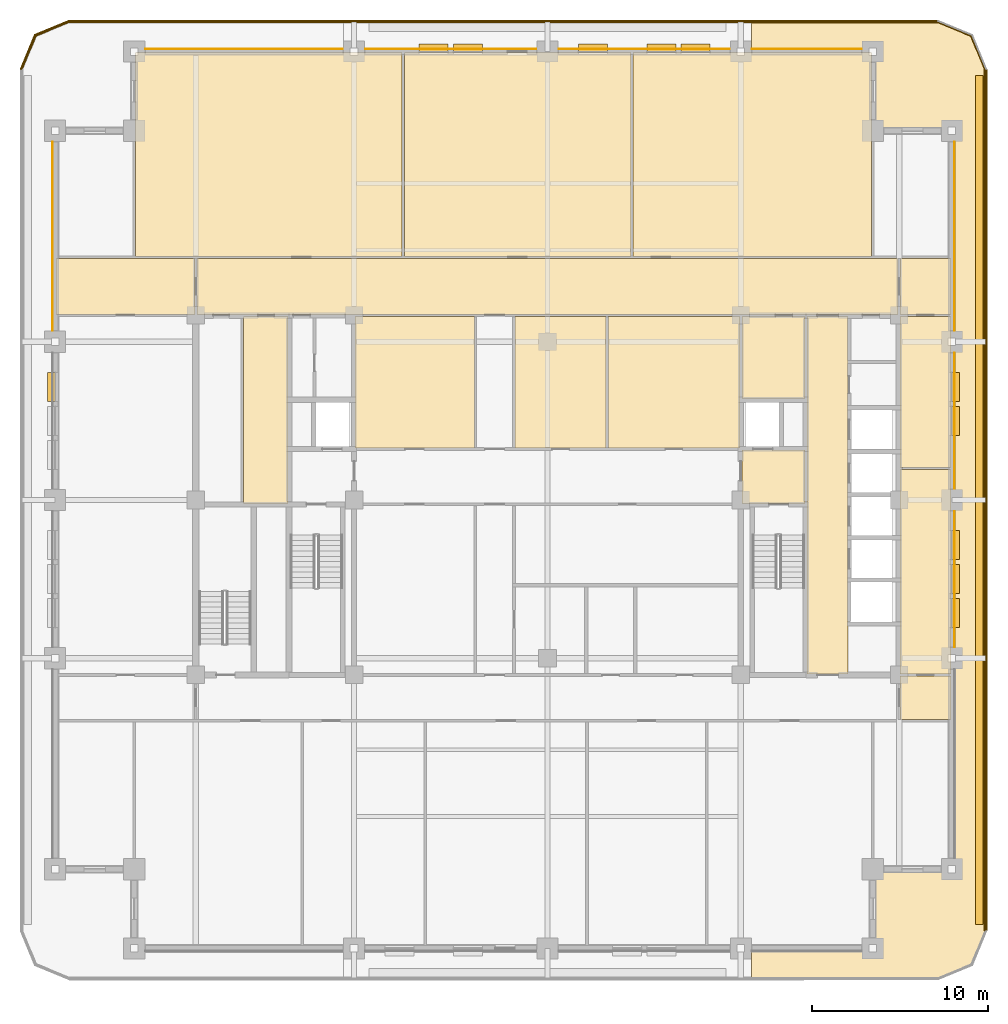
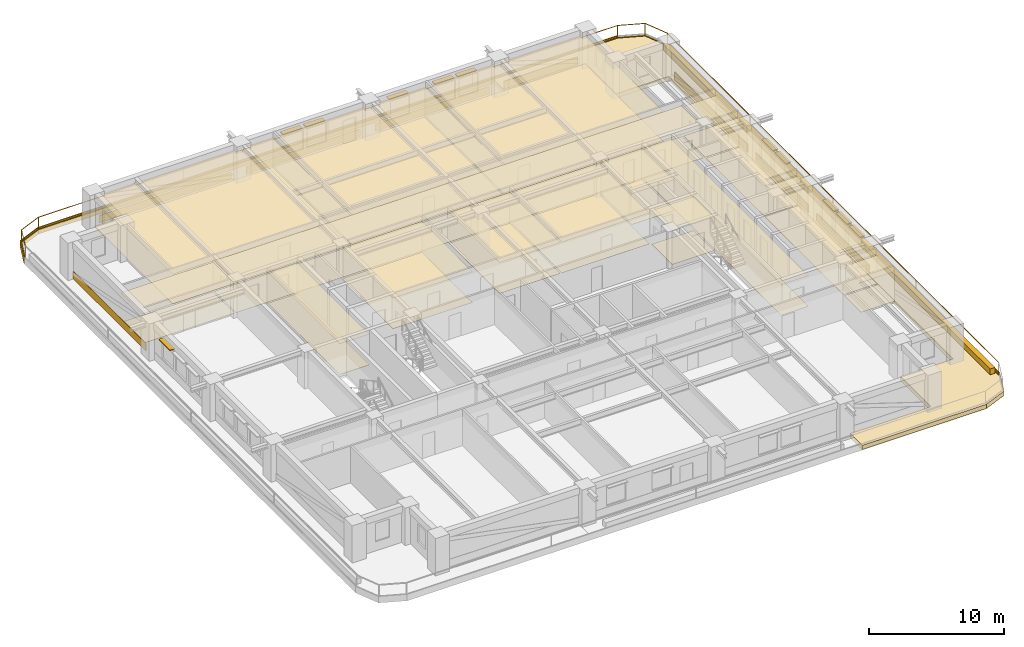
# One storey, part 15 of 16: 46 coverings, 11 shading devices, 2 railings.
"""IFC4 building model written with IfcOpenShell, lengths in metres."""

from ifc_helpers import new_model, si_unit, direction, frame, frame_2d, origin, origin_2d, place, context, subcontext, project, spatial, polyline, rectangle, outline, extrude, material, layer, layer_set, type_object, element, save


model = new_model("IFC4")

# Units and contexts
model_context = context("Model", 3, precision=1e-05, world=origin(), true_north=direction((0.0, 1.0)))
body_context = subcontext(model_context, "Body", "Model", "MODEL_VIEW")
ifc_project = project(units=[si_unit("LENGTHUNIT", "METRE"), si_unit("AREAUNIT", "SQUARE_METRE"), si_unit("VOLUMEUNIT", "CUBIC_METRE"), si_unit("PLANEANGLEUNIT", "RADIAN"), si_unit("MASSUNIT", "GRAM", prefix="KILO")], contexts=[model_context])

# Site, building, storey
site_placement = place(None, origin())
site = spatial("IfcSite", under=ifc_project, at=site_placement, CompositionType="ELEMENT")
building_placement = place(site_placement, origin())
building = spatial("IfcBuilding", under=site, at=building_placement, Name="Zulmaris Gate Convention Tower", CompositionType="ELEMENT")
storey_placement = place(building_placement, frame((0.0, 0.0, 124.919921875)))
storey = spatial("IfcBuildingStorey", under=building, at=storey_placement, Name="L31", CompositionType="ELEMENT", Elevation=124.919921875)

# Coverings
ifc_material_1 = material(Name="Precast concrete C40/50", Category="concrete")
ifc_layer_1 = layer(ifc_material_1, 0.0400390625, Name="Precast concrete C40/50")
ifc_layer_set_1 = layer_set([ifc_layer_1], Name="Precast concrete C40/50")
covering_type_1 = type_object("IfcCoveringType", Name="CLAD-SPANDREL-PRECAST", PredefinedType="CLADDING", material=ifc_layer_set_1)
covering_1_placement = place(storey_placement, frame((-11.6298828125, 25.64990234375, 0.0), z_axis=(0.0, 0.0, 1.0), x_axis=(-1.0, 0.0, 0.0)))
element("IfcCovering", 1, at=covering_1_placement, inside=storey, type_object=covering_type_1, Name="CLD-L31-N-0_0", PredefinedType="CLADDING", context=body_context, shape_type="SweptSolid", body=[
    extrude(rectangle(XDim=11.240234375, YDim=0.0400390625, at=frame_2d((5.6201171875, 0.0))), origin(), (0.0, 0.0, 1.0), 0.679931640625),
])
for number, where, z_axis, x_axis, name in (
    (2, (-0.6298828125, 25.64990234375, 0.0), (0.0, 0.0, 1.0), (-1.0, 0.0, 0.0), "CLD-L31-N-1_0"),
    (3, (10.3701171875, 25.64990234375, 0.0), (0.0, 0.0, 1.0), (-1.0, 0.0, 0.0), "CLD-L31-N-2_0"),
):
    element("IfcCovering", number, at=place(storey_placement, frame(where, z_axis=z_axis, x_axis=x_axis)), inside=storey, type_object=covering_type_1, Name=name, PredefinedType="CLADDING", context=body_context, shape_type="SweptSolid", body=[
        extrude(rectangle(XDim=9.740234375, YDim=0.0400390625, at=frame_2d((4.8701171875, 0.0))), origin(), (0.0, 0.0, 1.0), 0.679931640625),
    ])
covering_2_placement = place(storey_placement, frame((17.8701171875, 25.64990234375, 0.0), z_axis=(0.0, 0.0, 1.0), x_axis=(-1.0, 0.0, 0.0)))
element("IfcCovering", 4, at=covering_2_placement, inside=storey, type_object=covering_type_1, Name="CLD-L31-N-3_0", PredefinedType="CLADDING", context=body_context, shape_type="SweptSolid", body=[
    extrude(rectangle(XDim=6.240234375, YDim=0.0400390625, at=frame_2d((3.1201171875, 0.0))), origin(), (0.0, 0.0, 1.0), 0.679931640625),
])
for number, where, z_axis, x_axis, name in (
    (5, (23.14990234375, -8.3701171875, 0.0), (0.0, 0.0, 1.0), (0.0, 1.0, 0.0), "CLD-L31-E-1_0"),
    (6, (23.14990234375, 0.6298828125, 0.0), (0.0, 0.0, 1.0), (0.0, 1.0, 0.0), "CLD-L31-E-2_0"),
):
    element("IfcCovering", number, at=place(storey_placement, frame(where, z_axis=z_axis, x_axis=x_axis)), inside=storey, type_object=covering_type_1, Name=name, PredefinedType="CLADDING", context=body_context, shape_type="SweptSolid", body=[
        extrude(rectangle(XDim=7.740234375, YDim=0.0400390625, at=frame_2d((3.8701171875, 0.0))), origin(), (0.0, 0.0, 1.0), 0.679931640625),
    ])
for number, where, z_axis, x_axis, name in (
    (7, (23.14990234375, 9.6298828125, 0.0), (0.0, 0.0, 1.0), (0.0, 1.0, 0.0), "CLD-L31-E-3_0"),
    (8, (-28.14990234375, 20.3701171875, 0.0), (0.0, 0.0, 1.0), (0.0, -1.0, 0.0), "CLD-L31-W-3_0"),
):
    element("IfcCovering", number, at=place(storey_placement, frame(where, z_axis=z_axis, x_axis=x_axis)), inside=storey, type_object=covering_type_1, Name=name, PredefinedType="CLADDING", context=body_context, shape_type="SweptSolid", body=[
        extrude(rectangle(XDim=10.740234375, YDim=0.0400390625, at=frame_2d((5.3701171875, 0.0))), origin(), (0.0, 0.0, 1.0), 0.679931640625),
    ])
ifc_material_2 = material(Name="White Glazed Architectural Precast Concrete C40/50", Category="concrete")
ifc_layer_2 = layer(ifc_material_2, 0.239990234375, Name="White Glazed Architectural Precast Concrete C40/50")
ifc_layer_set_2 = layer_set([ifc_layer_2], Name="White Glazed Architectural Precast Concrete C40/50")
covering_type_2 = type_object("IfcCoveringType", Name="CLAD-TRAY-DECK", PredefinedType="CLADDING", material=ifc_layer_set_2)
covering_3_placement = place(storey_placement, frame((0.0, 0.0, -0.425048828125)))
element("IfcCovering", 9, at=covering_3_placement, inside=storey, type_object=covering_type_2, Name="L31 East Rounded-Fascia Planter Tray Deck", PredefinedType="CLADDING", context=body_context, shape_type="SweptSolid", body=[
    extrude(outline(polyline([(22.199951171875, 27.300048828125), (24.179931640625, 26.47998046875), (25.0, 24.5), (25.0, -24.5), (24.179931640625, -26.47998046875), (22.199951171875, -27.300048828125), (11.60205078125, -27.300048828125), (11.60205078125, -25.5), (18.5, -25.5), (18.5, -21.0), (23.0, -21.0), (23.0, 21.0), (18.5, 21.0), (18.5, 25.5), (11.60205078125, 25.5), (11.60205078125, 27.300048828125), (22.199951171875, 27.300048828125)])), origin(), (0.0, 0.0, 1.0), 0.385009765625),
])
ifc_layer_3 = layer(ifc_material_2, 0.080078125, Name="White Glazed Architectural Precast Concrete C40/50")
ifc_layer_set_3 = layer_set([ifc_layer_3], Name="White Glazed Architectural Precast Concrete C40/50")
covering_type_3 = type_object("IfcCoveringType", Name="CLAD-TRAY-FASCIA", PredefinedType="CLADDING", material=ifc_layer_set_3)
covering_4_placement = place(storey_placement, frame((24.9599609375, -24.5, -0.465087890625), z_axis=(0.0, 0.0, 1.0), x_axis=(0.0, 1.0, 0.0)))
element("IfcCovering", 10, at=covering_4_placement, inside=storey, type_object=covering_type_3, Name="FSC-L31-TR-05", PredefinedType="CLADDING", context=body_context, shape_type="SweptSolid", body=[
    extrude(rectangle(XDim=49.0, YDim=0.080078125, at=frame_2d((24.5, 0.0))), origin(), (0.0, 0.0, 1.0), 0.5849609375),
])
covering_5_placement = place(storey_placement, frame((22.199951171875, 27.260009765625, -0.465087890625), z_axis=(0.0, 0.0, 1.0), x_axis=(-1.0, 0.0, 0.0)))
element("IfcCovering", 11, at=covering_5_placement, inside=storey, type_object=covering_type_3, Name="FSC-L31-TR-08", PredefinedType="CLADDING", context=body_context, shape_type="SweptSolid", body=[
    extrude(rectangle(XDim=49.39990234375, YDim=0.080078125, at=frame_2d((24.699951171875, 0.0))), origin(), (0.0, 0.0, 1.0), 0.5849609375),
])
covering_6_placement = place(storey_placement, frame((-27.184814453125, 27.262939453125, -0.465087890625), z_axis=(0.0, 0.0, 1.0), x_axis=(-0.923873803533, -0.382697263049, 0.0)))
element("IfcCovering", 12, at=covering_6_placement, inside=storey, type_object=covering_type_3, Name="FSC-L31-TR-09", PredefinedType="CLADDING", context=body_context, shape_type="SweptSolid", body=[
    extrude(rectangle(XDim=2.142822265625, YDim=0.080078125, at=frame_2d((1.0712890625, 0.0))), origin(), (0.0, 0.0, 1.0), 0.5849609375),
])
covering_7_placement = place(storey_placement, frame((-29.142822265625, 26.464599609375, -0.465087890625), z_axis=(0.0, 0.0, 1.0), x_axis=(-0.382656984709, -0.923890487046, 0.0)))
element("IfcCovering", 13, at=covering_7_placement, inside=storey, type_object=covering_type_3, Name="FSC-L31-TR-10", PredefinedType="CLADDING", context=body_context, shape_type="SweptSolid", body=[
    extrude(rectangle(XDim=2.14306640625, YDim=0.080078125, at=frame_2d((1.071533203125, 0.0))), origin(), (0.0, 0.0, 1.0), 0.5849609375),
])
ifc_material_3 = material(Name="Mineral Fibre Acoustic Ceiling Tile")
ifc_layer_4 = layer(ifc_material_3, 0.02001953125, Name="Mineral Fibre Acoustic Ceiling Tile")
ifc_layer_set_4 = layer_set([ifc_layer_4], Name="Mineral Fibre Acoustic Ceiling Tile")
covering_type_4 = type_object("IfcCoveringType", Name="CLG-ACOUSTIC-600", PredefinedType="CEILING", material=ifc_layer_set_4)
covering_8_placement = place(storey_placement, frame((0.0, 0.0, 3.039794921875)))
element("IfcCovering", 14, at=covering_8_placement, inside=storey, type_object=covering_type_4, Name="CLG-L31-R08", PredefinedType="CEILING", context=body_context, shape_type="SweptSolid", body=[
    extrude(outline(polyline([(11.06005859375, -0.18994140625), (14.639892578125, -0.18994140625), (14.639892578125, 2.840087890625), (11.06005859375, 2.840087890625), (11.06005859375, -0.18994140625)])), origin(), (0.0, 0.0, 1.0), 0.02001953125),
])
covering_9_placement = place(storey_placement, frame((0.0, 0.0, 2.77783203125)))
element("IfcCovering", 15, at=covering_9_placement, inside=storey, type_object=covering_type_4, Name="CLG-L31-R13", PredefinedType="CEILING", context=body_context, shape_type="SweptSolid", body=[
    extrude(outline(polyline([(11.06005859375, 5.760009765625), (14.639892578125, 5.760009765625), (14.639892578125, 10.43994140625), (11.06005859375, 10.43994140625), (11.06005859375, 5.760009765625)])), origin(), (0.0, 0.0, 1.0), 0.02001953125),
])
covering_10_placement = place(storey_placement, frame((0.0, 0.0, 2.77783203125)))
element("IfcCovering", 16, at=covering_10_placement, inside=storey, type_object=covering_type_4, Name="CLG-L31-R17", PredefinedType="CEILING", context=body_context, shape_type="SweptSolid", body=[
    extrude(outline(polyline([(-17.2900390625, -0.18994140625), (-14.760009765625, -0.18994140625), (-14.760009765625, 10.43994140625), (-17.2900390625, 10.43994140625), (-17.2900390625, -0.18994140625)])), origin(), (0.0, 0.0, 1.0), 0.02001953125),
])
covering_11_placement = place(storey_placement, frame((0.0, 0.0, 2.77783203125)))
element("IfcCovering", 17, at=covering_11_placement, inside=storey, type_object=covering_type_4, Name="CLG-L31-R23", PredefinedType="CEILING", context=body_context, shape_type="SweptSolid", body=[
    extrude(outline(polyline([(14.760009765625, -9.889892578125), (17.090087890625, -9.889892578125), (17.090087890625, 10.43994140625), (14.760009765625, 10.43994140625), (14.760009765625, -9.889892578125)])), origin(), (0.0, 0.0, 1.0), 0.02001953125),
])
covering_12_placement = place(storey_placement, frame((0.0, 0.0, 2.77783203125)))
element("IfcCovering", 18, at=covering_12_placement, inside=storey, type_object=covering_type_4, Name="CLG-L31-R28", PredefinedType="CEILING", context=body_context, shape_type="SweptSolid", body=[
    extrude(outline(polyline([(-19.93994140625, 10.56005859375), (19.93994140625, 10.56005859375), (19.93994140625, 13.739990234375), (-19.93994140625, 13.739990234375), (-19.93994140625, 10.56005859375)])), origin(), (0.0, 0.0, 1.0), 0.02001953125),
])
covering_13_placement = place(storey_placement, frame((0.0, 0.0, 2.6796875)))
element("IfcCovering", 19, at=covering_13_placement, inside=storey, type_object=covering_type_4, Name="CLG-L31-R33", PredefinedType="CEILING", context=body_context, shape_type="SweptSolid", body=[
    extrude(outline(polyline([(-23.43994140625, 13.860107421875), (-8.260009765625, 13.860107421875), (-8.260009765625, 25.43994140625), (-23.43994140625, 25.43994140625), (-23.43994140625, 13.860107421875)])), origin(), (0.0, 0.0, 1.0), 0.02001953125),
])
covering_14_placement = place(storey_placement, frame((0.0, 0.0, 2.6796875)))
element("IfcCovering", 20, at=covering_14_placement, inside=storey, type_object=covering_type_4, Name="CLG-L31-R34", PredefinedType="CEILING", context=body_context, shape_type="SweptSolid", body=[
    extrude(outline(polyline([(-8.139892578125, 13.860107421875), (4.739990234375, 13.860107421875), (4.739990234375, 25.43994140625), (-8.139892578125, 25.43994140625), (-8.139892578125, 13.860107421875)])), origin(), (0.0, 0.0, 1.0), 0.02001953125),
])
covering_15_placement = place(storey_placement, frame((0.0, 0.0, 2.6796875)))
element("IfcCovering", 21, at=covering_15_placement, inside=storey, type_object=covering_type_4, Name="CLG-L31-R35", PredefinedType="CEILING", context=body_context, shape_type="SweptSolid", body=[
    extrude(outline(polyline([(4.860107421875, 13.860107421875), (18.43994140625, 13.860107421875), (18.43994140625, 25.43994140625), (4.860107421875, 25.43994140625), (4.860107421875, 13.860107421875)])), origin(), (0.0, 0.0, 1.0), 0.02001953125),
])
covering_16_placement = place(storey_placement, frame((0.0, 0.0, 2.77783203125)))
element("IfcCovering", 22, at=covering_16_placement, inside=storey, type_object=covering_type_4, Name="CLG-L31-R41", PredefinedType="CEILING", context=body_context, shape_type="SweptSolid", body=[
    extrude(outline(polyline([(-10.93994140625, 2.9599609375), (-4.159912109375, 2.9599609375), (-4.159912109375, 10.43994140625), (-10.93994140625, 10.43994140625), (-10.93994140625, 2.9599609375)])), origin(), (0.0, 0.0, 1.0), 0.02001953125),
])
covering_17_placement = place(storey_placement, frame((0.0, 0.0, 2.77783203125)))
element("IfcCovering", 23, at=covering_17_placement, inside=storey, type_object=covering_type_4, Name="CLG-L31-R42", PredefinedType="CEILING", context=body_context, shape_type="SweptSolid", body=[
    extrude(outline(polyline([(-1.840087890625, 2.9599609375), (3.330078125, 2.9599609375), (3.330078125, 10.43994140625), (-1.840087890625, 10.43994140625), (-1.840087890625, 2.9599609375)])), origin(), (0.0, 0.0, 1.0), 0.02001953125),
])
covering_18_placement = place(storey_placement, frame((0.0, 0.0, 2.77783203125)))
element("IfcCovering", 24, at=covering_18_placement, inside=storey, type_object=covering_type_4, Name="CLG-L31-R43", PredefinedType="CEILING", context=body_context, shape_type="SweptSolid", body=[
    extrude(outline(polyline([(3.449951171875, 2.9599609375), (10.93994140625, 2.9599609375), (10.93994140625, 10.43994140625), (3.449951171875, 10.43994140625), (3.449951171875, 2.9599609375)])), origin(), (0.0, 0.0, 1.0), 0.02001953125),
])
covering_19_placement = place(storey_placement, frame((0.0, 0.0, 2.6796875)))
element("IfcCovering", 25, at=covering_19_placement, inside=storey, type_object=covering_type_4, Name="CLG-L31-R49", PredefinedType="CEILING", context=body_context, shape_type="SweptSolid", body=[
    extrude(outline(polyline([(-27.93994140625, 10.56005859375), (-20.06005859375, 10.56005859375), (-20.06005859375, 13.739990234375), (-27.93994140625, 13.739990234375), (-27.93994140625, 10.56005859375)])), origin(), (0.0, 0.0, 1.0), 0.02001953125),
])
covering_20_placement = place(storey_placement, frame((0.0, 0.0, 2.6796875)))
element("IfcCovering", 26, at=covering_20_placement, inside=storey, type_object=covering_type_4, Name="CLG-L31-R52", PredefinedType="CEILING", context=body_context, shape_type="SweptSolid", body=[
    extrude(outline(polyline([(20.06005859375, 10.56005859375), (22.93994140625, 10.56005859375), (22.93994140625, 13.739990234375), (20.06005859375, 13.739990234375), (20.06005859375, 10.56005859375)])), origin(), (0.0, 0.0, 1.0), 0.02001953125),
])
covering_21_placement = place(storey_placement, frame((0.0, 0.0, 2.6796875)))
element("IfcCovering", 27, at=covering_21_placement, inside=storey, type_object=covering_type_4, Name="CLG-L31-R53", PredefinedType="CEILING", context=body_context, shape_type="SweptSolid", body=[
    extrude(outline(polyline([(20.06005859375, -12.489990234375), (22.93994140625, -12.489990234375), (22.93994140625, -10.010009765625), (20.06005859375, -10.010009765625), (20.06005859375, -12.489990234375)])), origin(), (0.0, 0.0, 1.0), 0.02001953125),
])
covering_22_placement = place(storey_placement, frame((0.0, 0.0, 2.6796875)))
element("IfcCovering", 28, at=covering_22_placement, inside=storey, type_object=covering_type_4, Name="CLG-L31-R54", PredefinedType="CEILING", context=body_context, shape_type="SweptSolid", body=[
    extrude(outline(polyline([(20.06005859375, 1.860107421875), (22.93994140625, 1.860107421875), (22.93994140625, 10.43994140625), (20.06005859375, 10.43994140625), (20.06005859375, 1.860107421875)])), origin(), (0.0, 0.0, 1.0), 0.02001953125),
])
covering_23_placement = place(storey_placement, frame((0.0, 0.0, 2.6796875)))
element("IfcCovering", 29, at=covering_23_placement, inside=storey, type_object=covering_type_4, Name="CLG-L31-R55", PredefinedType="CEILING", context=body_context, shape_type="SweptSolid", body=[
    extrude(outline(polyline([(20.06005859375, -9.889892578125), (22.93994140625, -9.889892578125), (22.93994140625, 1.739990234375), (20.06005859375, 1.739990234375), (20.06005859375, -9.889892578125)])), origin(), (0.0, 0.0, 1.0), 0.02001953125),
])
ifc_material_4 = material(Name="Woven Acoustic Wool Carpet Tile")
ifc_layer_5 = layer(ifc_material_4, 0.02001953125, Name="Woven Acoustic Wool Carpet Tile")
ifc_layer_set_5 = layer_set([ifc_layer_5], Name="Woven Acoustic Wool Carpet Tile")
covering_type_5 = type_object("IfcCoveringType", Name="FLR-CARPET-12", PredefinedType="FLOORING", material=ifc_layer_set_5)
covering_24_placement = place(storey_placement, origin())
element("IfcCovering", 30, at=covering_24_placement, inside=storey, type_object=covering_type_5, Name="FLR-L31-R08", PredefinedType="FLOORING", context=body_context, shape_type="SweptSolid", body=[
    extrude(outline(polyline([(11.06005859375, -0.18994140625), (14.639892578125, -0.18994140625), (14.639892578125, 2.840087890625), (11.06005859375, 2.840087890625), (11.06005859375, -0.18994140625)])), origin(), (0.0, 0.0, 1.0), 0.02001953125),
])
covering_25_placement = place(storey_placement, origin())
element("IfcCovering", 31, at=covering_25_placement, inside=storey, type_object=covering_type_5, Name="FLR-L31-R13", PredefinedType="FLOORING", context=body_context, shape_type="SweptSolid", body=[
    extrude(outline(polyline([(11.06005859375, 5.760009765625), (14.639892578125, 5.760009765625), (14.639892578125, 10.43994140625), (11.06005859375, 10.43994140625), (11.06005859375, 5.760009765625)])), origin(), (0.0, 0.0, 1.0), 0.02001953125),
])
covering_26_placement = place(storey_placement, origin())
element("IfcCovering", 32, at=covering_26_placement, inside=storey, type_object=covering_type_5, Name="FLR-L31-R17", PredefinedType="FLOORING", context=body_context, shape_type="SweptSolid", body=[
    extrude(outline(polyline([(-17.2900390625, -0.18994140625), (-14.760009765625, -0.18994140625), (-14.760009765625, 10.43994140625), (-17.2900390625, 10.43994140625), (-17.2900390625, -0.18994140625)])), origin(), (0.0, 0.0, 1.0), 0.02001953125),
])
covering_27_placement = place(storey_placement, origin())
element("IfcCovering", 33, at=covering_27_placement, inside=storey, type_object=covering_type_5, Name="FLR-L31-R23", PredefinedType="FLOORING", context=body_context, shape_type="SweptSolid", body=[
    extrude(outline(polyline([(14.760009765625, -9.889892578125), (17.090087890625, -9.889892578125), (17.090087890625, 10.43994140625), (14.760009765625, 10.43994140625), (14.760009765625, -9.889892578125)])), origin(), (0.0, 0.0, 1.0), 0.02001953125),
])
covering_28_placement = place(storey_placement, origin())
element("IfcCovering", 34, at=covering_28_placement, inside=storey, type_object=covering_type_5, Name="FLR-L31-R28", PredefinedType="FLOORING", context=body_context, shape_type="SweptSolid", body=[
    extrude(outline(polyline([(-19.93994140625, 10.56005859375), (19.93994140625, 10.56005859375), (19.93994140625, 13.739990234375), (-19.93994140625, 13.739990234375), (-19.93994140625, 10.56005859375)])), origin(), (0.0, 0.0, 1.0), 0.02001953125),
])
covering_29_placement = place(storey_placement, origin())
element("IfcCovering", 35, at=covering_29_placement, inside=storey, type_object=covering_type_5, Name="FLR-L31-R34", PredefinedType="FLOORING", context=body_context, shape_type="SweptSolid", body=[
    extrude(outline(polyline([(-8.139892578125, 13.860107421875), (4.739990234375, 13.860107421875), (4.739990234375, 25.43994140625), (-8.139892578125, 25.43994140625), (-8.139892578125, 13.860107421875)])), origin(), (0.0, 0.0, 1.0), 0.02001953125),
])
covering_30_placement = place(storey_placement, origin())
element("IfcCovering", 36, at=covering_30_placement, inside=storey, type_object=covering_type_5, Name="FLR-L31-R35", PredefinedType="FLOORING", context=body_context, shape_type="SweptSolid", body=[
    extrude(outline(polyline([(4.860107421875, 13.860107421875), (18.43994140625, 13.860107421875), (18.43994140625, 25.43994140625), (4.860107421875, 25.43994140625), (4.860107421875, 13.860107421875)])), origin(), (0.0, 0.0, 1.0), 0.02001953125),
])
covering_31_placement = place(storey_placement, origin())
element("IfcCovering", 37, at=covering_31_placement, inside=storey, type_object=covering_type_5, Name="FLR-L31-R43", PredefinedType="FLOORING", context=body_context, shape_type="SweptSolid", body=[
    extrude(outline(polyline([(3.449951171875, 2.9599609375), (10.93994140625, 2.9599609375), (10.93994140625, 10.43994140625), (3.449951171875, 10.43994140625), (3.449951171875, 2.9599609375)])), origin(), (0.0, 0.0, 1.0), 0.02001953125),
])
covering_32_placement = place(storey_placement, origin())
element("IfcCovering", 38, at=covering_32_placement, inside=storey, type_object=covering_type_5, Name="FLR-L31-R49", PredefinedType="FLOORING", context=body_context, shape_type="SweptSolid", body=[
    extrude(outline(polyline([(-27.93994140625, 10.56005859375), (-20.06005859375, 10.56005859375), (-20.06005859375, 13.739990234375), (-27.93994140625, 13.739990234375), (-27.93994140625, 10.56005859375)])), origin(), (0.0, 0.0, 1.0), 0.02001953125),
])
covering_33_placement = place(storey_placement, origin())
element("IfcCovering", 39, at=covering_33_placement, inside=storey, type_object=covering_type_5, Name="FLR-L31-R52", PredefinedType="FLOORING", context=body_context, shape_type="SweptSolid", body=[
    extrude(outline(polyline([(20.06005859375, 10.56005859375), (22.93994140625, 10.56005859375), (22.93994140625, 13.739990234375), (20.06005859375, 13.739990234375), (20.06005859375, 10.56005859375)])), origin(), (0.0, 0.0, 1.0), 0.02001953125),
])
covering_34_placement = place(storey_placement, origin())
element("IfcCovering", 40, at=covering_34_placement, inside=storey, type_object=covering_type_5, Name="FLR-L31-R53", PredefinedType="FLOORING", context=body_context, shape_type="SweptSolid", body=[
    extrude(outline(polyline([(20.06005859375, -12.489990234375), (22.93994140625, -12.489990234375), (22.93994140625, -10.010009765625), (20.06005859375, -10.010009765625), (20.06005859375, -12.489990234375)])), origin(), (0.0, 0.0, 1.0), 0.02001953125),
])
covering_35_placement = place(storey_placement, origin())
element("IfcCovering", 41, at=covering_35_placement, inside=storey, type_object=covering_type_5, Name="FLR-L31-R54", PredefinedType="FLOORING", context=body_context, shape_type="SweptSolid", body=[
    extrude(outline(polyline([(20.06005859375, 1.860107421875), (22.93994140625, 1.860107421875), (22.93994140625, 10.43994140625), (20.06005859375, 10.43994140625), (20.06005859375, 1.860107421875)])), origin(), (0.0, 0.0, 1.0), 0.02001953125),
])
covering_36_placement = place(storey_placement, origin())
element("IfcCovering", 42, at=covering_36_placement, inside=storey, type_object=covering_type_5, Name="FLR-L31-R55", PredefinedType="FLOORING", context=body_context, shape_type="SweptSolid", body=[
    extrude(outline(polyline([(20.06005859375, -9.889892578125), (22.93994140625, -9.889892578125), (22.93994140625, 1.739990234375), (20.06005859375, 1.739990234375), (20.06005859375, -9.889892578125)])), origin(), (0.0, 0.0, 1.0), 0.02001953125),
])
ifc_material_5 = material(Name="Polished Granite Terrazzo Tile", Category="masonry")
ifc_layer_6 = layer(ifc_material_5, 0.02001953125, Name="Polished Granite Terrazzo Tile")
ifc_layer_set_6 = layer_set([ifc_layer_6], Name="Polished Granite Terrazzo Tile")
covering_type_6 = type_object("IfcCoveringType", Name="FLR-TERRAZZO-30", PredefinedType="FLOORING", material=ifc_layer_set_6)
covering_37_placement = place(storey_placement, origin())
element("IfcCovering", 43, at=covering_37_placement, inside=storey, type_object=covering_type_6, Name="FLR-L31-R41", PredefinedType="FLOORING", context=body_context, shape_type="SweptSolid", body=[
    extrude(outline(polyline([(-10.93994140625, 2.9599609375), (-4.159912109375, 2.9599609375), (-4.159912109375, 10.43994140625), (-10.93994140625, 10.43994140625), (-10.93994140625, 2.9599609375)])), origin(), (0.0, 0.0, 1.0), 0.02001953125),
])
ifc_material_6 = material(Name="Engineered Teak Parquet Flooring")
ifc_layer_7 = layer(ifc_material_6, 0.02001953125, Name="Engineered Teak Parquet Flooring")
ifc_layer_set_7 = layer_set([ifc_layer_7], Name="Engineered Teak Parquet Flooring")
covering_type_7 = type_object("IfcCoveringType", Name="FLR-TIMBER-18", PredefinedType="FLOORING", material=ifc_layer_set_7)
covering_38_placement = place(storey_placement, origin())
element("IfcCovering", 44, at=covering_38_placement, inside=storey, type_object=covering_type_7, Name="FLR-L31-R33", PredefinedType="FLOORING", context=body_context, shape_type="SweptSolid", body=[
    extrude(outline(polyline([(-23.43994140625, 13.860107421875), (-8.260009765625, 13.860107421875), (-8.260009765625, 25.43994140625), (-23.43994140625, 25.43994140625), (-23.43994140625, 13.860107421875)])), origin(), (0.0, 0.0, 1.0), 0.02001953125),
])
covering_39_placement = place(storey_placement, origin())
element("IfcCovering", 45, at=covering_39_placement, inside=storey, type_object=covering_type_7, Name="FLR-L31-R42", PredefinedType="FLOORING", context=body_context, shape_type="SweptSolid", body=[
    extrude(outline(polyline([(-1.840087890625, 2.9599609375), (3.330078125, 2.9599609375), (3.330078125, 10.43994140625), (-1.840087890625, 10.43994140625), (-1.840087890625, 2.9599609375)])), origin(), (0.0, 0.0, 1.0), 0.02001953125),
])
ifc_material_7 = material(Name="Botanical Green Glazed Precast Concrete C40/50", Category="concrete")
ifc_layer_8 = layer(ifc_material_7, 0.419921875, Name="Botanical Green Glazed Precast Concrete C40/50")
ifc_layer_set_8 = layer_set([ifc_layer_8], Name="Botanical Green Glazed Precast Concrete C40/50")
covering_type_8 = type_object("IfcCoveringType", Name="PLANTER-BOX-200", PredefinedType="CLADDING", material=ifc_layer_set_8)
covering_40_placement = place(storey_placement, frame((0.0, 0.0, -0.0400390625)))
element("IfcCovering", 46, at=covering_40_placement, inside=storey, type_object=covering_type_8, Name="L31 E Full-Length Balcony Tree Planter Trough", PredefinedType="CLADDING", context=body_context, shape_type="SweptSolid", body=[
    extrude(outline(polyline([(24.340087890625, -24.14990234375), (24.760009765625, -24.14990234375), (24.760009765625, 24.14990234375), (24.340087890625, 24.14990234375), (24.340087890625, -24.14990234375)])), origin(), (0.0, 0.0, 1.0), 0.52001953125),
])

# Railings
ifc_material_8 = material(Name="Laminated Glass and Stainless Steel", Category="steel")
railing_type = type_object("IfcRailingType", Name="RL-BALC-1150", PredefinedType="BALUSTRADE", material=ifc_material_8)
railing_1_placement = place(storey_placement, frame((24.8798828125, -24.5, -0.0400390625)))
element("IfcRailing", 47, at=railing_1_placement, inside=storey, type_object=railing_type, Name="RL-L31-BALC-E", PredefinedType="BALUSTRADE", context=body_context, shape_type="SweptSolid", body=[
    extrude(rectangle(XDim=0.048095703125, YDim=0.048095703125, at=origin_2d()), frame((0.0, 0.0, 1.1259765625), z_axis=(0.0, 1.0, 0.0), x_axis=(-1.0, 0.0, 0.0)), (0.0, 0.0, 1.0), 49.0),
    extrude(rectangle(XDim=0.048095703125, YDim=0.048095703125, at=origin_2d()), frame((0.0, 0.0, 0.02392578125), z_axis=(0.0, 1.0, 0.0), x_axis=(-1.0, 0.0, 0.0)), (0.0, 0.0, 1.0), 49.0),
    extrude(rectangle(XDim=0.0419921875, YDim=0.0419921875, at=origin_2d()), origin(), (0.0, 0.0, 1.0), 1.101806640625),
    extrude(rectangle(XDim=0.0419921875, YDim=0.0419921875, at=origin_2d()), frame((0.0, 12.25, 0.0)), (0.0, 0.0, 1.0), 1.101806640625),
    extrude(rectangle(XDim=0.0419921875, YDim=0.0419921875, at=origin_2d()), frame((0.0, 24.5, 0.0)), (0.0, 0.0, 1.0), 1.101806640625),
    extrude(rectangle(XDim=0.0419921875, YDim=0.0419921875, at=origin_2d()), frame((0.0, 36.75, 0.0)), (0.0, 0.0, 1.0), 1.101806640625),
    extrude(rectangle(XDim=0.0419921875, YDim=0.0419921875, at=origin_2d()), frame((0.0, 49.0, 0.0)), (0.0, 0.0, 1.0), 1.101806640625),
])
railing_2_placement = place(storey_placement, frame((24.8798828125, 24.5, -0.0400390625)))
element("IfcRailing", 48, at=railing_2_placement, inside=storey, type_object=railing_type, Name="RL-L31-BALC-N", PredefinedType="BALUSTRADE", context=body_context, shape_type="SweptSolid", body=[
    extrude(rectangle(XDim=0.048095703125, YDim=0.048095703125, at=origin_2d()), frame((0.0, 0.0, 1.1259765625), z_axis=(-0.382670664694, 0.92388482095, 0.0), x_axis=(-0.92388482095, -0.382670664694, 0.0)), (0.0, 0.0, 1.0), 2.051025390625),
    extrude(rectangle(XDim=0.048095703125, YDim=0.048095703125, at=origin_2d()), frame((0.0, 0.0, 0.02392578125), z_axis=(-0.382670664694, 0.92388482095, 0.0), x_axis=(-0.92388482095, -0.382670664694, 0.0)), (0.0, 0.0, 1.0), 2.051025390625),
    extrude(rectangle(XDim=0.048095703125, YDim=0.048095703125, at=origin_2d()), frame((-0.784912109375, 1.89501953125, 1.1259765625), z_axis=(-0.92388482095, 0.382670664694, 0.0), x_axis=(-0.382670664694, -0.92388482095, 0.0)), (0.0, 0.0, 1.0), 2.051025390625),
    extrude(rectangle(XDim=0.048095703125, YDim=0.048095703125, at=origin_2d()), frame((-0.784912109375, 1.89501953125, 0.02392578125), z_axis=(-0.92388482095, 0.382670664694, 0.0), x_axis=(-0.382670664694, -0.92388482095, 0.0)), (0.0, 0.0, 1.0), 2.051025390625),
    extrude(rectangle(XDim=0.048095703125, YDim=0.048095703125, at=origin_2d()), frame((-2.679931640625, 2.679931640625, 1.1259765625), z_axis=(-1.0, 0.0, 0.0), x_axis=(0.0, -1.0, 0.0)), (0.0, 0.0, 1.0), 49.39990234375),
    extrude(rectangle(XDim=0.048095703125, YDim=0.048095703125, at=origin_2d()), frame((-2.679931640625, 2.679931640625, 0.02392578125), z_axis=(-1.0, 0.0, 0.0), x_axis=(0.0, -1.0, 0.0)), (0.0, 0.0, 1.0), 49.39990234375),
    extrude(rectangle(XDim=0.048095703125, YDim=0.048095703125, at=origin_2d()), frame((-52.079833984375, 2.679931640625, 1.1259765625), z_axis=(-0.92388482095, -0.382670664694, 0.0), x_axis=(0.382670664694, -0.92388482095, 0.0)), (0.0, 0.0, 1.0), 2.051025390625),
    extrude(rectangle(XDim=0.048095703125, YDim=0.048095703125, at=origin_2d()), frame((-52.079833984375, 2.679931640625, 0.02392578125), z_axis=(-0.92388482095, -0.382670664694, 0.0), x_axis=(0.382670664694, -0.92388482095, 0.0)), (0.0, 0.0, 1.0), 2.051025390625),
    extrude(rectangle(XDim=0.048095703125, YDim=0.048095703125, at=origin_2d()), frame((-53.974853515625, 1.89501953125, 1.1259765625), z_axis=(-0.382670664694, -0.92388482095, 0.0), x_axis=(0.92388482095, -0.382670664694, 0.0)), (0.0, 0.0, 1.0), 2.051025390625),
    extrude(rectangle(XDim=0.048095703125, YDim=0.048095703125, at=origin_2d()), frame((-53.974853515625, 1.89501953125, 0.02392578125), z_axis=(-0.382670664694, -0.92388482095, 0.0), x_axis=(0.92388482095, -0.382670664694, 0.0)), (0.0, 0.0, 1.0), 2.051025390625),
    extrude(rectangle(XDim=0.0419921875, YDim=0.0419921875, at=origin_2d()), origin(), (0.0, 0.0, 1.0), 1.101806640625),
    extrude(rectangle(XDim=0.0419921875, YDim=0.0419921875, at=origin_2d()), frame((-0.784912109375, 1.89501953125, 0.0)), (0.0, 0.0, 1.0), 1.101806640625),
    extrude(rectangle(XDim=0.0419921875, YDim=0.0419921875, at=origin_2d()), frame((-2.679931640625, 2.679931640625, 0.0)), (0.0, 0.0, 1.0), 1.101806640625),
    extrude(rectangle(XDim=0.0419921875, YDim=0.0419921875, at=origin_2d()), frame((-15.02978515625, 2.679931640625, 0.0)), (0.0, 0.0, 1.0), 1.101806640625),
    extrude(rectangle(XDim=0.0419921875, YDim=0.0419921875, at=origin_2d()), frame((-27.3798828125, 2.679931640625, 0.0)), (0.0, 0.0, 1.0), 1.101806640625),
    extrude(rectangle(XDim=0.0419921875, YDim=0.0419921875, at=origin_2d()), frame((-39.72998046875, 2.679931640625, 0.0)), (0.0, 0.0, 1.0), 1.101806640625),
    extrude(rectangle(XDim=0.0419921875, YDim=0.0419921875, at=origin_2d()), frame((-52.079833984375, 2.679931640625, 0.0)), (0.0, 0.0, 1.0), 1.101806640625),
    extrude(rectangle(XDim=0.0419921875, YDim=0.0419921875, at=origin_2d()), frame((-53.974853515625, 1.89501953125, 0.0)), (0.0, 0.0, 1.0), 1.101806640625),
    extrude(rectangle(XDim=0.0419921875, YDim=0.0419921875, at=origin_2d()), frame((-54.759765625, 0.0, 0.0)), (0.0, 0.0, 1.0), 1.101806640625),
])

# Shading devices
ifc_material_9 = material(Name="Glazed Ceramic Terracotta", Category="masonry")
ifc_layer_9 = layer(ifc_material_9, 0.070068359375, Name="Glazed Ceramic Terracotta")
ifc_layer_set_9 = layer_set([ifc_layer_9], Name="Glazed Ceramic Terracotta")
shading_device_type = type_object("IfcShadingDeviceType", Name="SHD-SUNSHADE-TC", PredefinedType="AWNING", material=ifc_layer_set_9)
for number, where, z_axis, x_axis, name in (
    (49, (-3.700927734375, 25.719970703125, 2.530029296875), (0.0, 0.0, 1.0), (-1.0, 0.0, 0.0), "SHD-EW-L31-N-1_0-2"),
    (50, (-5.64892578125, 25.719970703125, 2.530029296875), (0.0, 0.0, 1.0), (-1.0, 0.0, 0.0), "SHD-EW-L31-N-1_0-3"),
    (51, (9.2470703125, 25.719970703125, 2.530029296875), (0.0, 0.0, 1.0), (-1.0, 0.0, 0.0), "SHD-EW-L31-N-2_0-1"),
    (52, (7.299072265625, 25.719970703125, 2.530029296875), (0.0, 0.0, 1.0), (-1.0, 0.0, 0.0), "SHD-EW-L31-N-2_0-2"),
    (53, (3.403076171875, 25.719970703125, 2.530029296875), (0.0, 0.0, 1.0), (-1.0, 0.0, 0.0), "SHD-EW-L31-N-2_0-4"),
):
    element("IfcShadingDevice", number, at=place(storey_placement, frame(where, z_axis=z_axis, x_axis=x_axis)), inside=storey, type_object=shading_device_type, Name=name, PredefinedType="AWNING", context=body_context, shape_type="SweptSolid", body=[
        extrude(rectangle(XDim=1.650146484375, YDim=0.43994140625, at=frame_2d((0.8251953125, 0.0))), origin(), (0.0, 0.0, 1.0), 0.070068359375),
    ])
for number, where, z_axis, x_axis, name in (
    (54, (23.219970703125, -7.260009765625, 2.530029296875), (0.0, 0.0, 1.0), (0.0, 1.0, 0.0), "SHD-EW-L31-E-1_0-1"),
    (55, (23.219970703125, -5.324951171875, 2.530029296875), (0.0, 0.0, 1.0), (0.0, 1.0, 0.0), "SHD-EW-L31-E-1_0-2"),
    (56, (23.219970703125, -3.389892578125, 2.530029296875), (0.0, 0.0, 1.0), (0.0, 1.0, 0.0), "SHD-EW-L31-E-1_0-3"),
    (57, (23.219970703125, 3.675048828125, 2.530029296875), (0.0, 0.0, 1.0), (0.0, 1.0, 0.0), "SHD-EW-L31-E-2_0-2"),
    (58, (23.219970703125, 5.610107421875, 2.530029296875), (0.0, 0.0, 1.0), (0.0, 1.0, 0.0), "SHD-EW-L31-E-2_0-3"),
    (59, (-28.219970703125, 7.260009765625, 2.530029296875), (0.0, 0.0, 1.0), (0.0, -1.0, 0.0), "SHD-EW-L31-W-2_0-1"),
):
    element("IfcShadingDevice", number, at=place(storey_placement, frame(where, z_axis=z_axis, x_axis=x_axis)), inside=storey, type_object=shading_device_type, Name=name, PredefinedType="AWNING", context=body_context, shape_type="SweptSolid", body=[
        extrude(rectangle(XDim=1.64990234375, YDim=0.43994140625, at=frame_2d((0.824951171875, 0.0))), origin(), (0.0, 0.0, 1.0), 0.070068359375),
    ])

save(model, "model.ifc")
